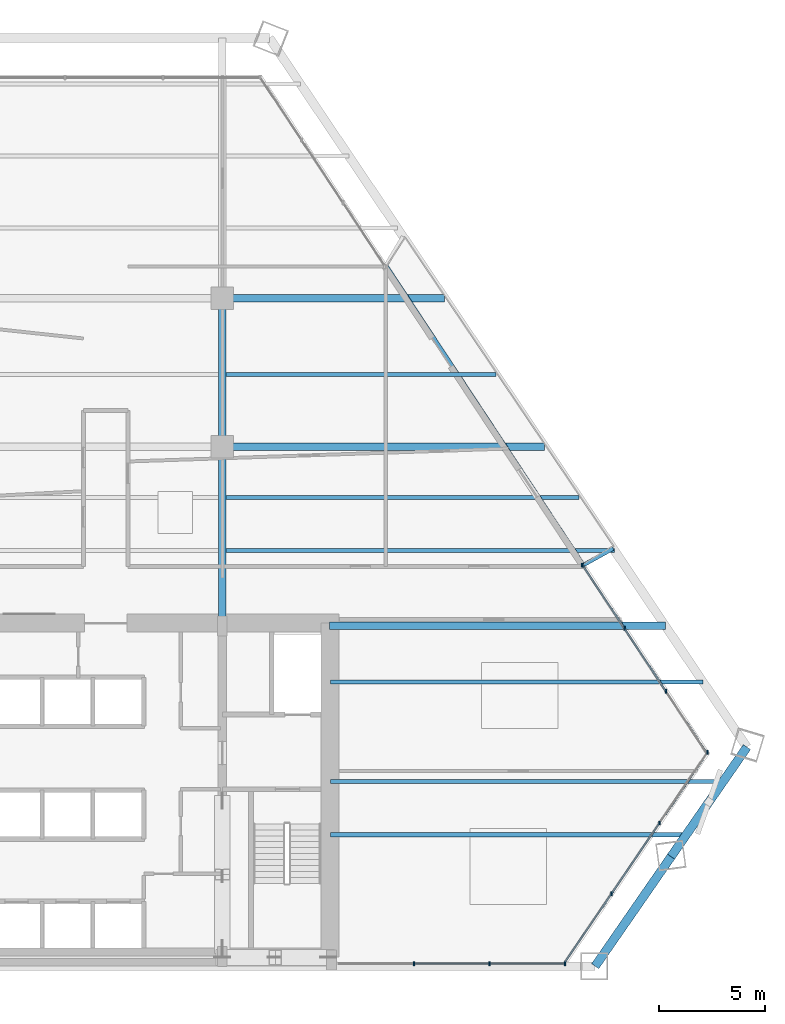
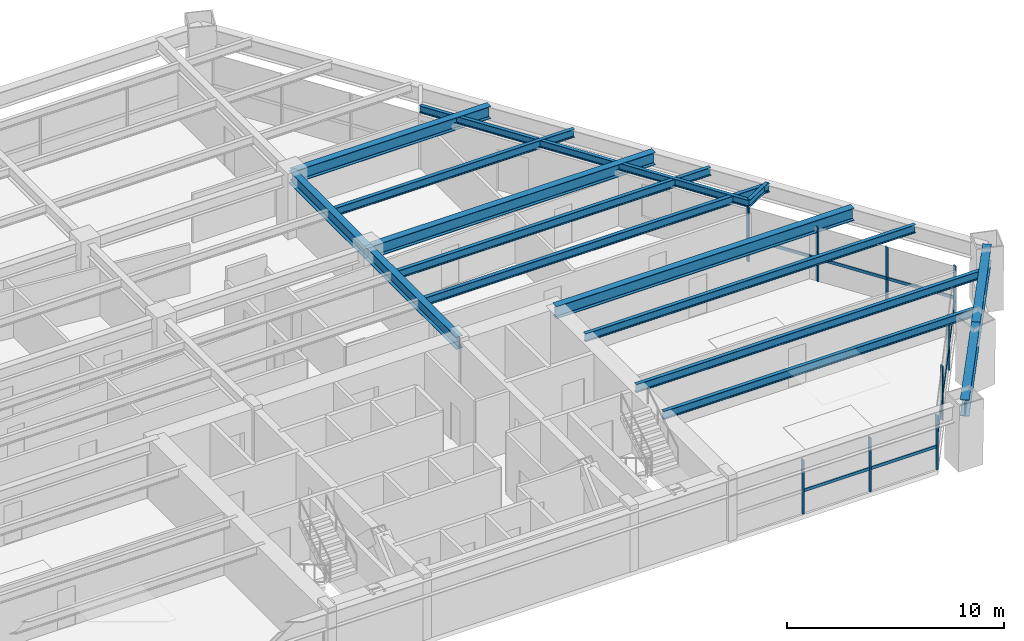
# One storey, part 6 of 14: 18 members, 15 beams, 3 elements without a shape of their own.
"""IFC4 building model written with IfcOpenShell, lengths in metres."""

from ifc_helpers import new_model, si_unit, direction, frame, origin, origin_2d, place, context, subcontext, project, spatial, rectangle, i_section, extrude, source, transform, mapped, material, material_profile, profile_set, type_object, type_shapes, element, aggregate, save


model = new_model("IFC4")

# Units and contexts
model_context = context("Model", 3, precision=1e-05, world=origin(), true_north=direction((0.0, 1.0)))
body_context = subcontext(model_context, "Body", "Model", "MODEL_VIEW")
ifc_project = project(units=[si_unit("LENGTHUNIT", "METRE"), si_unit("AREAUNIT", "SQUARE_METRE"), si_unit("VOLUMEUNIT", "CUBIC_METRE"), si_unit("PLANEANGLEUNIT", "RADIAN"), si_unit("MASSUNIT", "GRAM", prefix="KILO")], contexts=[model_context])

# Site, building, storey
site_placement = place(None, origin())
site = spatial("IfcSite", under=ifc_project, at=site_placement, CompositionType="ELEMENT")
building_placement = place(site_placement, origin())
building = spatial("IfcBuilding", under=site, at=building_placement, Name="Varnakhor Terracotta Tower", CompositionType="ELEMENT")
storey_placement = place(building_placement, frame((0.0, 0.0, 64.5)))
storey = spatial("IfcBuildingStorey", under=building, at=storey_placement, Name="L15", CompositionType="ELEMENT", Elevation=64.5)

# Beams
ifc_material_1 = material(Name="Steel S355", Category="steel")
ifc_material_profile_1 = material_profile(ifc_material_1, i_section(OverallWidth=0.35498046875, OverallDepth=0.695068359375, WebThickness=0.014892578125, FlangeThickness=0.02490234375, FilletRadius=0.01806640625, at=origin_2d()), Name="W27X146")
ifc_profile_set_1 = profile_set([ifc_material_profile_1], Name="Steel S355")
beam_type_1 = type_object("IfcBeamType", Name="BM-W27X146", PredefinedType="BEAM", material=ifc_profile_set_1)
shared_shape_1 = source(origin(), body_context, "Body", "SweptSolid", [
    extrude(i_section(OverallWidth=0.35498046875, OverallDepth=0.695068359375, WebThickness=0.014892578125, FlangeThickness=0.02490234375, FilletRadius=0.01806640625, at=origin_2d()), origin(), (0.0, 0.0, 1.0), 8.449951171875),
])
type_shapes(beam_type_1, [shared_shape_1])
beam_1_placement = place(storey_placement, frame((5.5, 16.050048828125, 3.1025390625), z_axis=(0.0, 1.0, 0.0), x_axis=(-1.0, 0.0, 0.0)))
element("IfcBeam", 1, at=beam_1_placement, inside=storey, type_object=beam_type_1, Name="L15 Primary Girder NS1-E", PredefinedType="BEAM", context=body_context, shape_type="MappedRepresentation", body=[
    mapped(shared_shape_1, transform((0.0, 0.0, 0.0), scale=1.0)),
])
shared_shape_2 = source(origin(), body_context, "Body", "SweptSolid", [
    extrude(i_section(OverallWidth=0.35498046875, OverallDepth=0.695068359375, WebThickness=0.014892578125, FlangeThickness=0.02490234375, FilletRadius=0.01806640625, at=origin_2d()), origin(), (0.0, 0.0, 1.0), 7.0),
])
beam_2_placement = place(storey_placement, frame((5.5, 24.5, 3.1025390625), z_axis=(0.0, 1.0, 0.0), x_axis=(-1.0, 0.0, 0.0)))
element("IfcBeam", 2, at=beam_2_placement, inside=storey, type_object=beam_type_1, Name="L15 Primary Girder NS2-E", PredefinedType="BEAM", context=body_context, shape_type="MappedRepresentation", body=[
    mapped(shared_shape_2, transform((0.0, 0.0, 0.0), scale=1.0)),
])
ifc_material_profile_2 = material_profile(ifc_material_1, i_section(OverallWidth=0.41796875, OverallDepth=0.927001953125, WebThickness=0.01904296875, FlangeThickness=0.031982421875, FilletRadius=0.01806640625, at=origin_2d()), Name="W36X231")
ifc_profile_set_2 = profile_set([ifc_material_profile_2], Name="Steel S355")
beam_type_2 = type_object("IfcBeamType", Name="BM-W36X231", PredefinedType="BEAM", material=ifc_profile_set_2)
shared_shape_3 = source(origin(), body_context, "Body", "SweptSolid", [
    extrude(i_section(OverallWidth=0.41796875, OverallDepth=0.927001953125, WebThickness=0.01904296875, FlangeThickness=0.031982421875, FilletRadius=0.01806640625, at=origin_2d()), origin(), (0.0, 0.0, 1.0), 6.283447265625),
])
for number, where, z_axis, x_axis, name in (
    (3, (23.083251953125, 0.0, 2.986572265625), (0.569371601915, 0.822080275236, 0.0), (-0.822080275236, 0.569371601915, 0.0), "L15 Perimeter Spandrel 2"),
    (4, (26.660888671875, 5.16552734375, 2.986572265625), (0.569345342655, 0.822098461741, 0.0), (-0.822098461741, 0.569345342655, 0.0), "L15 Perimeter Spandrel 3"),
):
    element("IfcBeam", number, at=place(storey_placement, frame(where, z_axis=z_axis, x_axis=x_axis)), inside=storey, type_object=beam_type_2, Name=name, PredefinedType="BEAM", context=body_context, shape_type="MappedRepresentation", body=[
        mapped(shared_shape_3, transform((0.0, 0.0, 0.0), scale=1.0)),
    ])
ifc_material_profile_3 = material_profile(ifc_material_1, i_section(OverallWidth=0.179931640625, OverallDepth=0.39990234375, WebThickness=0.008544921875, FlangeThickness=0.013427734375, FilletRadius=0.01806640625, at=origin_2d()), Name="IPE400")
ifc_profile_set_3 = profile_set([ifc_material_profile_3], Name="Steel S355")
beam_type_3 = type_object("IfcBeamType", Name="JST-IPE400", PredefinedType="JOIST", material=ifc_profile_set_3)
shared_shape_4 = source(origin(), body_context, "Body", "SweptSolid", [
    extrude(i_section(OverallWidth=0.179931640625, OverallDepth=0.39990234375, WebThickness=0.008544921875, FlangeThickness=0.013427734375, FilletRadius=0.01806640625, at=origin_2d()), origin(), (0.0, 0.0, 1.0), 16.927490234375),
])
beam_3_placement = place(storey_placement, frame((22.528564453125, 18.917724609375, 3.25), z_axis=(-0.550252346221, 0.834998416452, 0.0), x_axis=(-0.834998416452, -0.550252346221, 0.0)))
element("IfcBeam", 5, at=beam_3_placement, inside=storey, type_object=beam_type_3, Name="L15 Loggia Edge Beam 1", PredefinedType="JOIST", context=body_context, shape_type="MappedRepresentation", body=[
    mapped(shared_shape_4, transform((0.0, 0.0, 0.0), scale=1.0)),
])
shared_shape_5 = source(origin(), body_context, "Body", "SweptSolid", [
    extrude(i_section(OverallWidth=0.35498046875, OverallDepth=0.695068359375, WebThickness=0.014892578125, FlangeThickness=0.02490234375, FilletRadius=0.01806640625, at=origin_2d()), origin(), (0.0, 0.0, 1.0), 15.83740234375),
])
beam_4_placement = place(storey_placement, frame((10.550048828125, 16.050048828125, 3.1025390625), z_axis=(1.0, 0.0, 0.0), x_axis=(0.0, 1.0, 0.0)))
element("IfcBeam", 6, at=beam_4_placement, inside=storey, type_object=beam_type_1, Name="L15 Wing Girder E", PredefinedType="BEAM", context=body_context, shape_type="MappedRepresentation", body=[
    mapped(shared_shape_5, transform((0.0, 0.0, 0.0), scale=1.0)),
])
shared_shape_6 = source(origin(), body_context, "Body", "SweptSolid", [
    extrude(i_section(OverallWidth=0.35498046875, OverallDepth=0.695068359375, WebThickness=0.014892578125, FlangeThickness=0.02490234375, FilletRadius=0.01806640625, at=origin_2d()), origin(), (0.0, 0.0, 1.0), 15.197509765625),
])
beam_5_placement = place(storey_placement, frame((5.5, 24.5, 3.1025390625), z_axis=(1.0, 0.0, 0.0), x_axis=(0.0, 1.0, 0.0)))
element("IfcBeam", 7, at=beam_5_placement, inside=storey, type_object=beam_type_1, Name="L15 Primary Girder EW2-3", PredefinedType="BEAM", context=body_context, shape_type="MappedRepresentation", body=[
    mapped(shared_shape_6, transform((0.0, 0.0, 0.0), scale=1.0)),
])
shared_shape_7 = source(origin(), body_context, "Body", "SweptSolid", [
    extrude(i_section(OverallWidth=0.35498046875, OverallDepth=0.695068359375, WebThickness=0.014892578125, FlangeThickness=0.02490234375, FilletRadius=0.01806640625, at=origin_2d()), origin(), (0.0, 0.0, 1.0), 10.48388671875),
])
beam_6_placement = place(storey_placement, frame((5.5, 31.5, 3.1025390625), z_axis=(1.0, 0.0, 0.0), x_axis=(0.0, 1.0, 0.0)))
element("IfcBeam", 8, at=beam_6_placement, inside=storey, type_object=beam_type_1, Name="L15 Primary Girder EW3-3", PredefinedType="BEAM", context=body_context, shape_type="MappedRepresentation", body=[
    mapped(shared_shape_7, transform((0.0, 0.0, 0.0), scale=1.0)),
])
ifc_material_profile_4 = material_profile(ifc_material_1, i_section(OverallWidth=0.19189453125, OverallDepth=0.462890625, WebThickness=0.010498046875, FlangeThickness=0.017578125, FilletRadius=0.01806640625, at=origin_2d()), Name="W18X60")
ifc_profile_set_4 = profile_set([ifc_material_profile_4], Name="Steel S355")
beam_type_4 = type_object("IfcBeamType", Name="JST-W18X60", PredefinedType="JOIST", material=ifc_profile_set_4)
shared_shape_8 = source(origin(), body_context, "Body", "SweptSolid", [
    extrude(i_section(OverallWidth=0.19189453125, OverallDepth=0.462890625, WebThickness=0.010498046875, FlangeThickness=0.017578125, FilletRadius=0.01806640625, at=origin_2d()), origin(), (0.0, 0.0, 1.0), 16.777099609375),
])
beam_7_placement = place(storey_placement, frame((10.60009765625, 6.199951171875, 3.218505859375), z_axis=(1.0, 0.0, 0.0), x_axis=(0.0, 1.0, 0.0)))
element("IfcBeam", 9, at=beam_7_placement, inside=storey, type_object=beam_type_4, Name="L15 Floor Joist E1", PredefinedType="JOIST", context=body_context, shape_type="MappedRepresentation", body=[
    mapped(shared_shape_8, transform((0.0, 0.0, 0.0), scale=1.0)),
])
shared_shape_9 = source(origin(), body_context, "Body", "SweptSolid", [
    extrude(i_section(OverallWidth=0.19189453125, OverallDepth=0.462890625, WebThickness=0.010498046875, FlangeThickness=0.017578125, FilletRadius=0.01806640625, at=origin_2d()), origin(), (0.0, 0.0, 1.0), 18.508544921875),
])
beam_8_placement = place(storey_placement, frame((10.60009765625, 8.699951171875, 3.218505859375), z_axis=(1.0, 0.0, 0.0), x_axis=(0.0, 1.0, 0.0)))
element("IfcBeam", 10, at=beam_8_placement, inside=storey, type_object=beam_type_4, Name="L15 Floor Joist E2", PredefinedType="JOIST", context=body_context, shape_type="MappedRepresentation", body=[
    mapped(shared_shape_9, transform((0.0, 0.0, 0.0), scale=1.0)),
])
shared_shape_10 = source(origin(), body_context, "Body", "SweptSolid", [
    extrude(i_section(OverallWidth=0.19189453125, OverallDepth=0.462890625, WebThickness=0.010498046875, FlangeThickness=0.017578125, FilletRadius=0.01806640625, at=origin_2d()), origin(), (0.0, 0.0, 1.0), 17.57177734375),
])
beam_9_placement = place(storey_placement, frame((10.60009765625, 13.39990234375, 3.218505859375), z_axis=(1.0, 0.0, 0.0), x_axis=(0.0, 1.0, 0.0)))
element("IfcBeam", 11, at=beam_9_placement, inside=storey, type_object=beam_type_4, Name="L15 Floor Joist E3", PredefinedType="JOIST", context=body_context, shape_type="MappedRepresentation", body=[
    mapped(shared_shape_10, transform((0.0, 0.0, 0.0), scale=1.0)),
])
shared_shape_11 = source(origin(), body_context, "Body", "SweptSolid", [
    extrude(i_section(OverallWidth=0.19189453125, OverallDepth=0.462890625, WebThickness=0.010498046875, FlangeThickness=0.017578125, FilletRadius=0.01806640625, at=origin_2d()), origin(), (0.0, 0.0, 1.0), 18.323486328125),
])
beam_10_placement = place(storey_placement, frame((5.673583984375, 19.60009765625, 3.218505859375), z_axis=(1.0, 0.0, 0.0), x_axis=(0.0, 1.0, 0.0)))
element("IfcBeam", 12, at=beam_10_placement, inside=storey, type_object=beam_type_4, Name="L15 Composite Floor Joist 4-3", PredefinedType="JOIST", context=body_context, shape_type="MappedRepresentation", body=[
    mapped(shared_shape_11, transform((0.0, 0.0, 0.0), scale=1.0)),
])
shared_shape_12 = source(origin(), body_context, "Body", "SweptSolid", [
    extrude(i_section(OverallWidth=0.19189453125, OverallDepth=0.462890625, WebThickness=0.010498046875, FlangeThickness=0.017578125, FilletRadius=0.01806640625, at=origin_2d()), origin(), (0.0, 0.0, 1.0), 16.64013671875),
])
beam_11_placement = place(storey_placement, frame((5.673583984375, 22.10009765625, 3.218505859375), z_axis=(1.0, 0.0, 0.0), x_axis=(0.0, 1.0, 0.0)))
element("IfcBeam", 13, at=beam_11_placement, inside=storey, type_object=beam_type_4, Name="L15 Composite Floor Joist 5-3", PredefinedType="JOIST", context=body_context, shape_type="MappedRepresentation", body=[
    mapped(shared_shape_12, transform((0.0, 0.0, 0.0), scale=1.0)),
])
shared_shape_13 = source(origin(), body_context, "Body", "SweptSolid", [
    extrude(i_section(OverallWidth=0.19189453125, OverallDepth=0.462890625, WebThickness=0.010498046875, FlangeThickness=0.017578125, FilletRadius=0.01806640625, at=origin_2d()), origin(), (0.0, 0.0, 1.0), 12.734619140625),
])
beam_12_placement = place(storey_placement, frame((5.673583984375, 27.89990234375, 3.218505859375), z_axis=(1.0, 0.0, 0.0), x_axis=(0.0, 1.0, 0.0)))
element("IfcBeam", 14, at=beam_12_placement, inside=storey, type_object=beam_type_4, Name="L15 Composite Floor Joist 6-3", PredefinedType="JOIST", context=body_context, shape_type="MappedRepresentation", body=[
    mapped(shared_shape_13, transform((0.0, 0.0, 0.0), scale=1.0)),
])

# Curtain wall, members
ifc_material_2 = material(Name="Anodised Aluminium Curtain Wall System", Category="aluminium")
curtain_wall_type = type_object("IfcCurtainWallType", Name="CW-SYS-LOW-OFFICE", PredefinedType="NOTDEFINED", material=ifc_material_2)
curtain_wall_1_placement = place(storey_placement, origin())
curtain_wall_1 = element("IfcCurtainWall", 15, at=curtain_wall_1_placement, inside=storey, type_object=curtain_wall_type, Name="L15 E Facet Curtain Wall 2", PredefinedType="NOTDEFINED")
ifc_material_3 = material(Name="Anodised Aluminium 6063-T6", Category="aluminium")
ifc_material_profile_5 = material_profile(ifc_material_3, rectangle(XDim=0.074951171875, YDim=0.18505859375, at=origin_2d()), Name="ALU MULLION 75x185")
ifc_profile_set_5 = profile_set([ifc_material_profile_5], Name="Anodised Aluminium 6063-T6")
member_type_1 = type_object("IfcMemberType", Name="CWM-02", PredefinedType="MULLION", material=ifc_profile_set_5)
shared_shape_14 = source(origin(), body_context, "Body", "SweptSolid", [
    extrude(rectangle(XDim=0.074951171875, YDim=0.18505859375, at=origin_2d()), origin(), (0.0, 0.0, 1.0), 3.030029296875),
])
type_shapes(member_type_1, [shared_shape_14])
member_1_placement = place(storey_placement, frame((22.49462890625, 18.90380859375, 0.0), z_axis=(0.0, 0.0, 1.0), x_axis=(1.0, 0.0, 0.0)))
member_1 = element("IfcMember", 16, at=member_1_placement, type_object=member_type_1, Name="L15 E Facet Curtain Wall 2 Mullion 1", PredefinedType="MULLION", context=body_context, shape_type="MappedRepresentation", body=[
    mapped(shared_shape_14, transform((0.0, 0.0, 0.0), scale=1.0)),
])
member_2_placement = place(storey_placement, frame((24.456298828125, 15.935546875, 0.0), z_axis=(0.0, 0.0, 1.0), x_axis=(1.0, 0.0, 0.0)))
member_2 = element("IfcMember", 17, at=member_2_placement, type_object=member_type_1, Name="L15 E Facet Curtain Wall 2 Mullion 2", PredefinedType="MULLION", context=body_context, shape_type="MappedRepresentation", body=[
    mapped(shared_shape_14, transform((0.0, 0.0, 0.0), scale=1.0)),
])
member_3_placement = place(storey_placement, frame((26.417724609375, 12.967529296875, 0.0), z_axis=(0.0, 0.0, 1.0), x_axis=(1.0, 0.0, 0.0)))
member_3 = element("IfcMember", 18, at=member_3_placement, type_object=member_type_1, Name="L15 E Facet Curtain Wall 2 Mullion 3", PredefinedType="MULLION", context=body_context, shape_type="MappedRepresentation", body=[
    mapped(shared_shape_14, transform((0.0, 0.0, 0.0), scale=1.0)),
])
member_4_placement = place(storey_placement, frame((22.46142578125, 18.917724609375, 0.0), z_axis=(0.0, 0.0, 1.0), x_axis=(1.0, 0.0, 0.0)))
member_4 = element("IfcMember", 19, at=member_4_placement, type_object=member_type_1, Name="L15 E Loggia Jamb Closure Mullion 2", PredefinedType="MULLION", context=body_context, shape_type="MappedRepresentation", body=[
    mapped(shared_shape_14, transform((0.0, 0.0, 0.0), scale=1.0)),
])

curtain_wall_2_placement = place(storey_placement, origin())
curtain_wall_2 = element("IfcCurtainWall", 20, at=curtain_wall_2_placement, inside=storey, type_object=curtain_wall_type, Name="L15 Facet Curtain Wall 4", PredefinedType="NOTDEFINED")
member_5_placement = place(storey_placement, frame((28.3798828125, 10.0830078125, 0.0), z_axis=(0.0, 0.0, 1.0), x_axis=(1.0, 0.0, 0.0)))
member_5 = element("IfcMember", 21, at=member_5_placement, type_object=member_type_1, Name="L15 Facet Curtain Wall 4 Mullion 1", PredefinedType="MULLION", context=body_context, shape_type="MappedRepresentation", body=[
    mapped(shared_shape_14, transform((0.0, 0.0, 0.0), scale=1.0)),
])
member_6_placement = place(storey_placement, frame((26.116943359375, 6.752685546875, 0.0), z_axis=(0.0, 0.0, 1.0), x_axis=(1.0, 0.0, 0.0)))
member_6 = element("IfcMember", 22, at=member_6_placement, type_object=member_type_1, Name="L15 Facet Curtain Wall 4 Mullion 2", PredefinedType="MULLION", context=body_context, shape_type="MappedRepresentation", body=[
    mapped(shared_shape_14, transform((0.0, 0.0, 0.0), scale=1.0)),
])
member_7_placement = place(storey_placement, frame((23.853759765625, 3.422607421875, 0.0), z_axis=(0.0, 0.0, 1.0), x_axis=(1.0, 0.0, 0.0)))
member_7 = element("IfcMember", 23, at=member_7_placement, type_object=member_type_1, Name="L15 Facet Curtain Wall 4 Mullion 3", PredefinedType="MULLION", context=body_context, shape_type="MappedRepresentation", body=[
    mapped(shared_shape_14, transform((0.0, 0.0, 0.0), scale=1.0)),
])

curtain_wall_3_placement = place(storey_placement, origin())
curtain_wall_3 = element("IfcCurtainWall", 24, at=curtain_wall_3_placement, inside=storey, type_object=curtain_wall_type, Name="L15 South Wing Curtain Wall SSE", PredefinedType="NOTDEFINED")
member_8_placement = place(storey_placement, frame((21.6630859375, 0.1201171875, 0.0), z_axis=(0.0, 0.0, 1.0), x_axis=(1.0, 0.0, 0.0)))
member_8 = element("IfcMember", 25, at=member_8_placement, type_object=member_type_1, Name="L15 South Wing Curtain Wall SSE Mullion 1", PredefinedType="MULLION", context=body_context, shape_type="MappedRepresentation", body=[
    mapped(shared_shape_14, transform((0.0, 0.0, 0.0), scale=1.0)),
])
member_9_placement = place(storey_placement, frame((18.0986328125, 0.1201171875, 0.0), z_axis=(0.0, 0.0, 1.0), x_axis=(1.0, 0.0, 0.0)))
member_9 = element("IfcMember", 26, at=member_9_placement, type_object=member_type_1, Name="L15 South Wing Curtain Wall SSE Mullion 2", PredefinedType="MULLION", context=body_context, shape_type="MappedRepresentation", body=[
    mapped(shared_shape_14, transform((0.0, 0.0, 0.0), scale=1.0)),
])
member_10_placement = place(storey_placement, frame((14.534423828125, 0.1201171875, 0.0), z_axis=(0.0, 0.0, 1.0), x_axis=(1.0, 0.0, 0.0)))
member_10 = element("IfcMember", 27, at=member_10_placement, type_object=member_type_1, Name="L15 South Wing Curtain Wall SSE Mullion 3", PredefinedType="MULLION", context=body_context, shape_type="MappedRepresentation", body=[
    mapped(shared_shape_14, transform((0.0, 0.0, 0.0), scale=1.0)),
])

# Member
ifc_material_profile_6 = material_profile(ifc_material_3, rectangle(XDim=0.074951171875, YDim=0.1650390625, at=origin_2d()), Name="ALU TRANSOM 75x165")
ifc_profile_set_6 = profile_set([ifc_material_profile_6], Name="Anodised Aluminium 6063-T6")
member_type_2 = type_object("IfcMemberType", Name="CWT-02", PredefinedType="USERDEFINED", material=ifc_profile_set_6)
shared_shape_15 = source(origin(), body_context, "Body", "SweptSolid", [
    extrude(rectangle(XDim=0.074951171875, YDim=0.1650390625, at=origin_2d()), origin(), (0.0, 0.0, 1.0), 3.5576171875),
])
member_11_placement = place(storey_placement, frame((24.456298828125, 15.935546875, 1.272705078125), z_axis=(0.551338303535, -0.834281771978, 0.0), x_axis=(0.834281771978, 0.551338303535, 0.0)))
member_11 = element("IfcMember", 28, at=member_11_placement, type_object=member_type_2, Name="L15 E Facet Curtain Wall 2 Transom 2", ObjectType="TRANSOM", PredefinedType="USERDEFINED", context=body_context, shape_type="MappedRepresentation", body=[
    mapped(shared_shape_15, transform((0.0, 0.0, 0.0), scale=1.0)),
])

member_12_placement = place(storey_placement, frame((26.417724609375, 12.967529296875, 1.272705078125), z_axis=(0.551386066051, -0.834250205972, 0.0), x_axis=(0.834250205972, 0.551386066051, 0.0)))
member_12 = element("IfcMember", 29, at=member_12_placement, type_object=member_type_2, Name="L15 E Facet Curtain Wall 2 Transom 3", ObjectType="TRANSOM", PredefinedType="USERDEFINED", context=body_context, shape_type="MappedRepresentation", body=[
    mapped(shared_shape_15, transform((0.0, 0.0, 0.0), scale=1.0)),
])

shared_shape_16 = source(origin(), body_context, "Body", "SweptSolid", [
    extrude(rectangle(XDim=0.074951171875, YDim=0.1650390625, at=origin_2d()), origin(), (0.0, 0.0, 1.0), 3.557861328125),
])
member_13_placement = place(storey_placement, frame((22.49462890625, 18.90380859375, 1.272705078125), z_axis=(0.551354501285, -0.834271067407, 0.0), x_axis=(0.834271067407, 0.551354501285, 0.0)))
member_13 = element("IfcMember", 30, at=member_13_placement, type_object=member_type_2, Name="L15 E Facet Curtain Wall 2 Transom 1", ObjectType="TRANSOM", PredefinedType="USERDEFINED", context=body_context, shape_type="MappedRepresentation", body=[
    mapped(shared_shape_16, transform((0.0, 0.0, 0.0), scale=1.0)),
])

aggregate(curtain_wall_1, [member_1, member_13, member_2, member_11, member_3, member_12, member_4])

shared_shape_17 = source(origin(), body_context, "Body", "SweptSolid", [
    extrude(rectangle(XDim=0.074951171875, YDim=0.1650390625, at=origin_2d()), origin(), (0.0, 0.0, 1.0), 4.0263671875),
])
member_14_placement = place(storey_placement, frame((28.3798828125, 10.0830078125, 1.272705078125), z_axis=(-0.562024725373, -0.827120431418, 0.0), x_axis=(0.827120431418, -0.562024725373, 0.0)))
member_14 = element("IfcMember", 31, at=member_14_placement, type_object=member_type_2, Name="L15 Facet Curtain Wall 4 Transom 1", ObjectType="TRANSOM", PredefinedType="USERDEFINED", context=body_context, shape_type="MappedRepresentation", body=[
    mapped(shared_shape_17, transform((0.0, 0.0, 0.0), scale=1.0)),
])

member_15_placement = place(storey_placement, frame((26.116943359375, 6.752685546875, 1.272705078125), z_axis=(-0.562094393393, -0.827073088013, 0.0), x_axis=(0.827073088013, -0.562094393393, 0.0)))
member_15 = element("IfcMember", 32, at=member_15_placement, type_object=member_type_2, Name="L15 Facet Curtain Wall 4 Transom 2", ObjectType="TRANSOM", PredefinedType="USERDEFINED", context=body_context, shape_type="MappedRepresentation", body=[
    mapped(shared_shape_17, transform((0.0, 0.0, 0.0), scale=1.0)),
])

member_16_placement = place(storey_placement, frame((23.853759765625, 3.422607421875, 1.272705078125), z_axis=(-0.562024725373, -0.827120431418, 0.0), x_axis=(0.827120431418, -0.562024725373, 0.0)))
member_16 = element("IfcMember", 33, at=member_16_placement, type_object=member_type_2, Name="L15 Facet Curtain Wall 4 Transom 3", ObjectType="TRANSOM", PredefinedType="USERDEFINED", context=body_context, shape_type="MappedRepresentation", body=[
    mapped(shared_shape_17, transform((0.0, 0.0, 0.0), scale=1.0)),
])

aggregate(curtain_wall_2, [member_5, member_14, member_6, member_15, member_7, member_16])

shared_shape_18 = source(origin(), body_context, "Body", "SweptSolid", [
    extrude(rectangle(XDim=0.074951171875, YDim=0.1650390625, at=origin_2d()), origin(), (0.0, 0.0, 1.0), 3.564453125),
])
member_17_placement = place(storey_placement, frame((21.6630859375, 0.1201171875, 1.272705078125), z_axis=(-1.0, 0.0, 0.0), x_axis=(0.0, -1.0, 0.0)))
member_17 = element("IfcMember", 34, at=member_17_placement, type_object=member_type_2, Name="L15 South Wing Curtain Wall SSE Transom 1", ObjectType="TRANSOM", PredefinedType="USERDEFINED", context=body_context, shape_type="MappedRepresentation", body=[
    mapped(shared_shape_18, transform((0.0, 0.0, 0.0), scale=1.0)),
])

shared_shape_19 = source(origin(), body_context, "Body", "SweptSolid", [
    extrude(rectangle(XDim=0.074951171875, YDim=0.1650390625, at=origin_2d()), origin(), (0.0, 0.0, 1.0), 3.564208984375),
])
member_18_placement = place(storey_placement, frame((18.0986328125, 0.1201171875, 1.272705078125), z_axis=(-1.0, 0.0, 0.0), x_axis=(0.0, -1.0, 0.0)))
member_18 = element("IfcMember", 35, at=member_18_placement, type_object=member_type_2, Name="L15 South Wing Curtain Wall SSE Transom 2", ObjectType="TRANSOM", PredefinedType="USERDEFINED", context=body_context, shape_type="MappedRepresentation", body=[
    mapped(shared_shape_19, transform((0.0, 0.0, 0.0), scale=1.0)),
])

aggregate(curtain_wall_3, [member_8, member_17, member_9, member_18, member_10])

# Beam
shared_shape_20 = source(origin(), body_context, "Body", "SweptSolid", [
    extrude(i_section(OverallWidth=0.179931640625, OverallDepth=0.39990234375, WebThickness=0.008544921875, FlangeThickness=0.013427734375, FilletRadius=0.01806640625, at=origin_2d()), origin(), (0.0, 0.0, 1.0), 1.605224609375),
])
beam_13_placement = place(storey_placement, frame((22.528564453125, 18.917724609375, 3.25), z_axis=(0.874837963352, 0.484415666425, 0.0), x_axis=(-0.484415666425, 0.874837963352, 0.0)))
element("IfcBeam", 36, at=beam_13_placement, inside=storey, type_object=beam_type_3, Name="L16 E Loggia Tie Beam 2", PredefinedType="JOIST", context=body_context, shape_type="MappedRepresentation", body=[
    mapped(shared_shape_20, transform((0.0, 0.0, 0.0), scale=1.0)),
])

save(model, "model.ifc")
